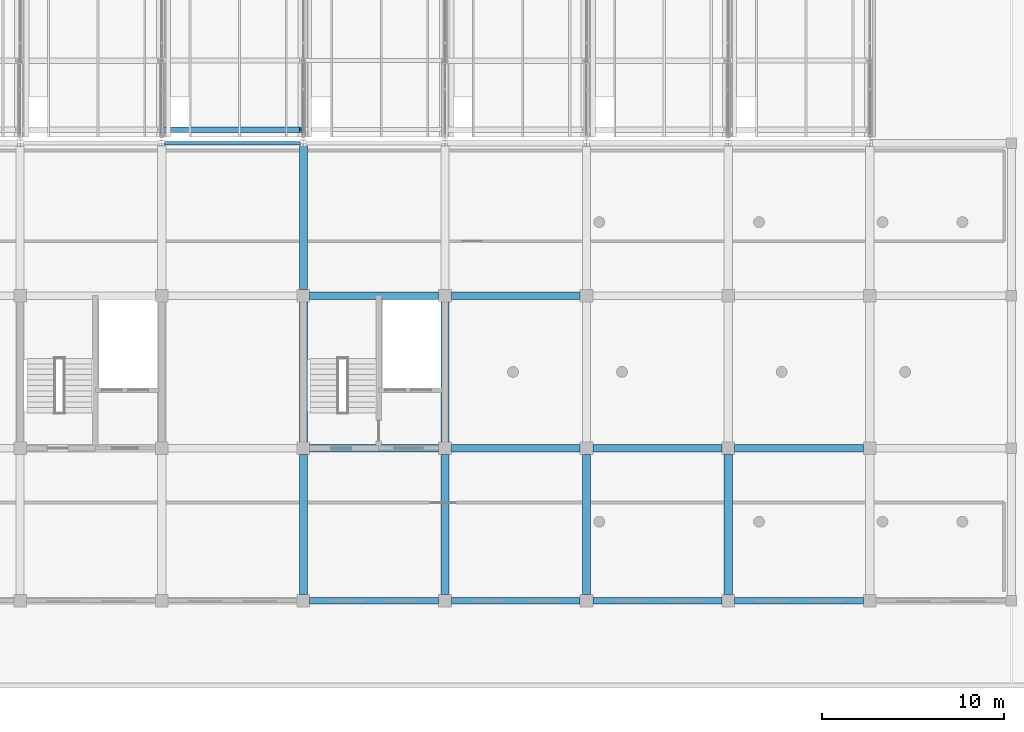
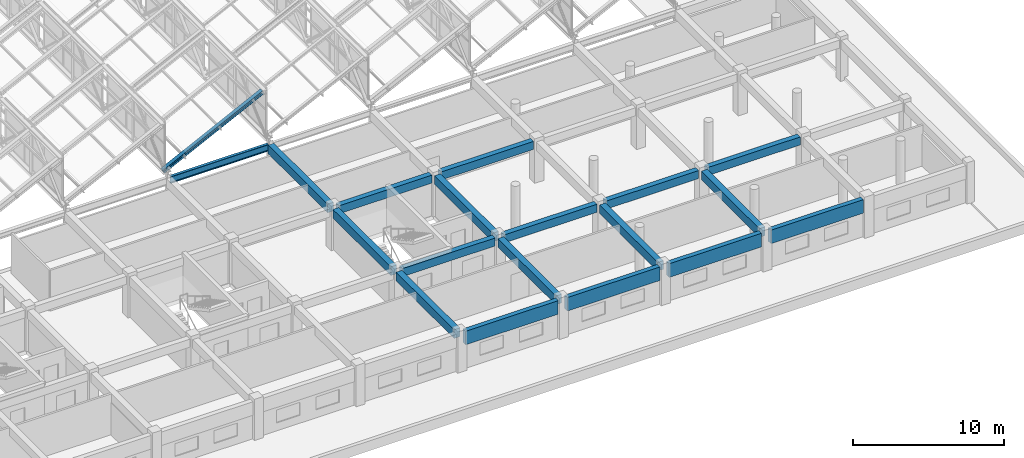
# One storey, part 11 of 101: 18 beams, 1 member.
"""IFC4 building model written with IfcOpenShell, lengths in metres."""

from ifc_helpers import new_model, si_unit, direction, frame, origin, origin_2d, place, context, subcontext, project, spatial, rectangle, i_section, extrude, material, material_profile, profile_set, type_object, element, save


model = new_model("IFC4")

# Units and contexts
model_context = context("Model", 3, precision=1e-05, world=origin(), true_north=direction((0.0, 1.0)))
body_context = subcontext(model_context, "Body", "Model", "MODEL_VIEW")
ifc_project = project(units=[si_unit("LENGTHUNIT", "METRE"), si_unit("AREAUNIT", "SQUARE_METRE"), si_unit("VOLUMEUNIT", "CUBIC_METRE"), si_unit("PLANEANGLEUNIT", "RADIAN"), si_unit("MASSUNIT", "GRAM", prefix="KILO")], contexts=[model_context])

# Site, building, storey
site_placement = place(None, origin())
site = spatial("IfcSite", under=ifc_project, at=site_placement, CompositionType="ELEMENT")
building_placement = place(site_placement, origin())
building = spatial("IfcBuilding", under=site, at=building_placement, Name="Zizhar Promenade General Hospital", CompositionType="ELEMENT")
storey_placement = place(building_placement, frame((0.0, 0.0, 14.39990234375)))
storey = spatial("IfcBuildingStorey", under=building, at=storey_placement, Name="L03", CompositionType="ELEMENT", Elevation=14.39990234375)

# Beams
ifc_material_1 = material(Name="Precast concrete C40/50", Category="concrete")
ifc_material_profile_1 = material_profile(ifc_material_1, rectangle(XDim=0.35009765625, YDim=1.10009765625, at=origin_2d()))
ifc_profile_set_1 = profile_set([ifc_material_profile_1], Name="Precast concrete C40/50")
beam_type_1 = type_object("IfcBeamType", Name="BM-PC-BAND1100", PredefinedType="SPANDREL", material=ifc_profile_set_1)
for number, where, z_axis, x_axis, name in (
    (1, (93.949951171875, 0.0, 2.760009765625), (1.0, 0.0, 0.0), (0.0, 1.0, 0.0), "Grid Beam X L03 (12-0)"),
    (2, (101.75, 0.0, 2.760009765625), (1.0, 0.0, 0.0), (0.0, 1.0, 0.0), "Grid Beam X L03 (13-0)"),
):
    element("IfcBeam", number, at=place(storey_placement, frame(where, z_axis=z_axis, x_axis=x_axis)), inside=storey, type_object=beam_type_1, Name=name, PredefinedType="SPANDREL", context=body_context, shape_type="SweptSolid", body=[
        extrude(rectangle(XDim=0.35009765625, YDim=1.10009765625, at=origin_2d()), origin(), (0.0, 0.0, 1.0), 7.10009765625),
    ])
for number, where, z_axis, x_axis, name in (
    (3, (109.550048828125, 0.0, 2.760009765625), (1.0, 0.0, 0.0), (0.0, 1.0, 0.0), "Grid Beam X L03 (14-0)"),
    (4, (117.35009765625, 0.0, 2.760009765625), (1.0, 0.0, 0.0), (0.0, 1.0, 0.0), "Grid Beam X L03 (15-0)"),
):
    element("IfcBeam", number, at=place(storey_placement, frame(where, z_axis=z_axis, x_axis=x_axis)), inside=storey, type_object=beam_type_1, Name=name, PredefinedType="SPANDREL", context=body_context, shape_type="SweptSolid", body=[
        extrude(rectangle(XDim=0.35009765625, YDim=1.10009765625, at=origin_2d()), origin(), (0.0, 0.0, 1.0), 7.099853515625),
    ])
ifc_material_2 = material(Name="Concrete C35/45", Category="concrete")
ifc_material_profile_2 = material_profile(ifc_material_2, rectangle(XDim=0.39990234375, YDim=0.64990234375, at=origin_2d()))
ifc_profile_set_2 = profile_set([ifc_material_profile_2], Name="Concrete C35/45")
beam_type_2 = type_object("IfcBeamType", Name="BM-RC-400x650", PredefinedType="BEAM", material=ifc_profile_set_2)
for number, where, z_axis, x_axis, name in (
    (5, (93.949951171875, 8.39990234375, 2.985107421875), (1.0, 0.0, 0.0), (0.0, 1.0, 0.0), "Grid Beam X L03 (12-1)"),
    (6, (93.949951171875, 16.800048828125, 2.985107421875), (1.0, 0.0, 0.0), (0.0, 1.0, 0.0), "Grid Beam X L03 (12-2)"),
    (7, (101.75, 8.39990234375, 2.985107421875), (1.0, 0.0, 0.0), (0.0, 1.0, 0.0), "Grid Beam X L03 (13-1)"),
    (8, (101.75, 16.800048828125, 2.985107421875), (1.0, 0.0, 0.0), (0.0, 1.0, 0.0), "Grid Beam X L03 (13-2)"),
):
    element("IfcBeam", number, at=place(storey_placement, frame(where, z_axis=z_axis, x_axis=x_axis)), inside=storey, type_object=beam_type_2, Name=name, PredefinedType="BEAM", context=body_context, shape_type="SweptSolid", body=[
        extrude(rectangle(XDim=0.39990234375, YDim=0.64990234375, at=origin_2d()), origin(), (0.0, 0.0, 1.0), 7.10009765625),
    ])
for number, where, z_axis, x_axis, name in (
    (9, (109.550048828125, 8.39990234375, 2.985107421875), (1.0, 0.0, 0.0), (0.0, 1.0, 0.0), "Grid Beam X L03 (14-1)"),
    (10, (117.35009765625, 8.39990234375, 2.985107421875), (1.0, 0.0, 0.0), (0.0, 1.0, 0.0), "Grid Beam X L03 (15-1)"),
):
    element("IfcBeam", number, at=place(storey_placement, frame(where, z_axis=z_axis, x_axis=x_axis)), inside=storey, type_object=beam_type_2, Name=name, PredefinedType="BEAM", context=body_context, shape_type="SweptSolid", body=[
        extrude(rectangle(XDim=0.39990234375, YDim=0.64990234375, at=origin_2d()), origin(), (0.0, 0.0, 1.0), 7.099853515625),
    ])
ifc_material_3 = material(Name="Concrete C35/45", Category="concrete")
ifc_material_profile_3 = material_profile(ifc_material_3, rectangle(XDim=0.449951171875, YDim=0.699951171875, at=origin_2d()))
ifc_profile_set_3 = profile_set([ifc_material_profile_3], Name="Concrete C35/45")
beam_type_3 = type_object("IfcBeamType", Name="BM-RC-450x700", PredefinedType="BEAM", material=ifc_profile_set_3)
for number, where, z_axis, x_axis, name in (
    (11, (93.60009765625, 0.35009765625, 2.960205078125), (0.0, 1.0, 0.0), (-1.0, 0.0, 0.0), "Grid Beam Y L03 (12-0)"),
    (12, (93.60009765625, 8.75, 2.960205078125), (0.0, 1.0, 0.0), (-1.0, 0.0, 0.0), "Grid Beam Y L03 (12-1)"),
):
    element("IfcBeam", number, at=place(storey_placement, frame(where, z_axis=z_axis, x_axis=x_axis)), inside=storey, type_object=beam_type_3, Name=name, PredefinedType="BEAM", context=body_context, shape_type="SweptSolid", body=[
        extrude(rectangle(XDim=0.449951171875, YDim=0.699951171875, at=origin_2d()), origin(), (0.0, 0.0, 1.0), 7.699951171875),
    ])
beam_1_placement = place(storey_placement, frame((93.60009765625, 17.14990234375, 2.960205078125), z_axis=(0.0, 1.0, 0.0), x_axis=(-1.0, 0.0, 0.0)))
element("IfcBeam", 13, at=beam_1_placement, inside=storey, type_object=beam_type_3, Name="Grid Beam Y L03 (12-2)", PredefinedType="BEAM", context=body_context, shape_type="SweptSolid", body=[
    extrude(rectangle(XDim=0.449951171875, YDim=0.699951171875, at=origin_2d()), origin(), (0.0, 0.0, 1.0), 7.900146484375),
])
for number, where, z_axis, x_axis, name in (
    (14, (101.39990234375, 0.35009765625, 2.960205078125), (0.0, 1.0, 0.0), (-1.0, 0.0, 0.0), "Grid Beam Y L03 (13-0)"),
    (15, (101.39990234375, 8.75, 2.960205078125), (0.0, 1.0, 0.0), (-1.0, 0.0, 0.0), "Grid Beam Y L03 (13-1)"),
    (16, (109.199951171875, 0.35009765625, 2.960205078125), (0.0, 1.0, 0.0), (-1.0, 0.0, 0.0), "Grid Beam Y L03 (14-0)"),
    (17, (117.0, 0.35009765625, 2.960205078125), (0.0, 1.0, 0.0), (-1.0, 0.0, 0.0), "Grid Beam Y L03 (15-0)"),
):
    element("IfcBeam", number, at=place(storey_placement, frame(where, z_axis=z_axis, x_axis=x_axis)), inside=storey, type_object=beam_type_3, Name=name, PredefinedType="BEAM", context=body_context, shape_type="SweptSolid", body=[
        extrude(rectangle(XDim=0.449951171875, YDim=0.699951171875, at=origin_2d()), origin(), (0.0, 0.0, 1.0), 7.699951171875),
    ])
ifc_material_4 = material(Name="Steel S355", Category="steel")
ifc_material_profile_4 = material_profile(ifc_material_4, i_section(OverallWidth=0.2099609375, OverallDepth=0.550048828125, WebThickness=0.010986328125, FlangeThickness=0.01708984375, FilletRadius=0.02392578125, at=origin_2d()))
ifc_profile_set_4 = profile_set([ifc_material_profile_4], Name="Steel S355")
beam_type_4 = type_object("IfcBeamType", Name="BM-STL-IPE550", PredefinedType="BEAM", material=ifc_profile_set_4)
beam_2_placement = place(storey_placement, frame((85.949951171875, 25.199951171875, 3.03515625), z_axis=(1.0, 0.0, 0.0), x_axis=(0.0, 1.0, 0.0)))
element("IfcBeam", 18, at=beam_2_placement, inside=storey, type_object=beam_type_4, Name="Grid Beam X L03 (11-3)", PredefinedType="BEAM", context=body_context, shape_type="SweptSolid", body=[
    extrude(i_section(OverallWidth=0.2099609375, OverallDepth=0.550048828125, WebThickness=0.010986328125, FlangeThickness=0.01708984375, FilletRadius=0.02392578125, at=origin_2d()), origin(), (0.0, 0.0, 1.0), 7.5),
])

# Member
ifc_material_5 = material(Name="Steel S355", Category="steel")
ifc_material_profile_5 = material_profile(ifc_material_5, i_section(OverallWidth=0.300048828125, OverallDepth=0.2900390625, WebThickness=0.008544921875, FlangeThickness=0.013916015625, FilletRadius=0.027099609375, at=origin_2d()))
ifc_profile_set_5 = profile_set([ifc_material_profile_5], Name="Steel S355")
member_type = type_object("IfcMemberType", Name="MEM-RAFT-HEA300", PredefinedType="RAFTER", material=ifc_profile_set_5)
member_placement = place(storey_placement, frame((85.800048828125, 25.949951171875, 3.33154296875), z_axis=(0.896716239757, 0.0, 0.442605902983), x_axis=(0.0, 1.0, 0.0)))
element("IfcMember", 19, at=member_placement, inside=storey, type_object=member_type, Name="Sawtooth Bay 3 Rafter 1-1", PredefinedType="RAFTER", context=body_context, shape_type="SweptSolid", body=[
    extrude(i_section(OverallWidth=0.300048828125, OverallDepth=0.2900390625, WebThickness=0.008544921875, FlangeThickness=0.013916015625, FilletRadius=0.027099609375, at=origin_2d()), origin(), (0.0, 0.0, 1.0), 8.531005859375),
])

save(model, "model.ifc")
